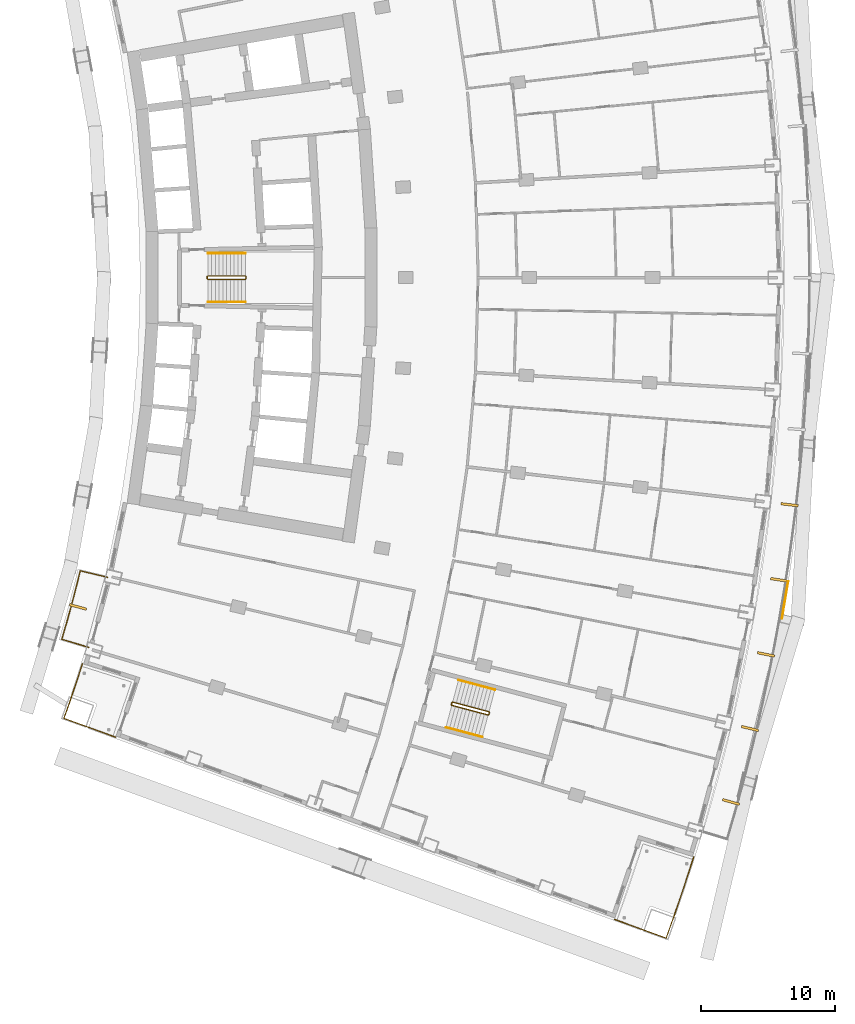
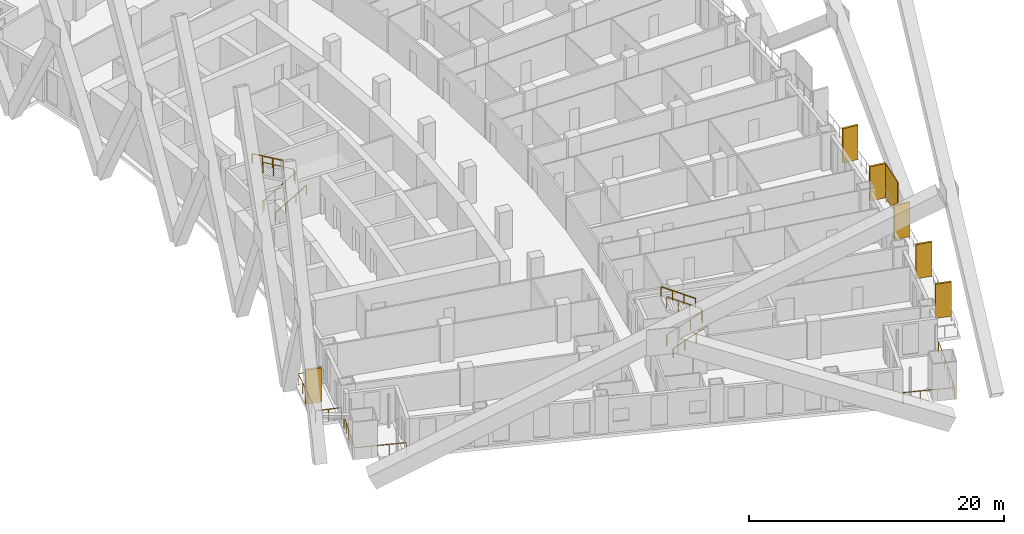
# One storey, part 23 of 25: 9 railings, 7 shading devices.
"""IFC4 building model written with IfcOpenShell, lengths in metres."""

import ifcopenshell
import ifcopenshell.guid

model = None  # the IFC model being written
_history = None  # IfcOwnerHistory: only IFC2X3 demands one
_inside = {}  # id of a spatial element -> (the spatial element, [elements in it])
_under = {}  # id of a project, library or spatial element -> (it, [spatial elements below it])
_declared = {}  # id of a project -> (the project, [libraries it declares])
_typed = {}  # id of a type object -> (the type object, [elements of that type])
_made_of = {}  # id of a material, layer set ... -> (it, [elements and type objects made of it])


def new_model(schema):
    """Start an empty IFC model of exactly this schema.

    Asked for "IFC4X3", IfcOpenShell would pick the latest addendum, in which some entities
    have other attributes; the version numbers below select the first issue.
    IFC2X3 requires an IfcOwnerHistory on every rooted entity: one is made here for all.
    """
    global model, _history
    if schema == "IFC4X3":
        model = ifcopenshell.file(schema_version=(4, 3, 0, 0))
    else:
        model = ifcopenshell.file(schema=schema)
    _inside.clear()
    _under.clear()
    _declared.clear()
    _typed.clear()
    _made_of.clear()
    _history = None
    if model.schema == "IFC2X3":
        org = make("IfcOrganization", Name="unknown")
        user = make(
            "IfcPersonAndOrganization",
            ThePerson=make("IfcPerson", FamilyName="unknown"),
            TheOrganization=org,
        )
        app = make(
            "IfcApplication",
            ApplicationDeveloper=org,
            Version="unknown",
            ApplicationFullName="unknown",
            ApplicationIdentifier="unknown",
        )
        _history = make(
            "IfcOwnerHistory",
            OwningUser=user,
            OwningApplication=app,
            ChangeAction="ADDED",
            CreationDate=0,
        )
    return model


def make(cls, **values):
    """One entity of the class cls with the attributes given. An attribute that is None is left unset."""
    return model.create_entity(
        cls, **{name: value for name, value in values.items() if value is not None}
    )


def rooted(cls, **values):
    """An entity with a GlobalId (a new one), such as an element, a storey or a relation."""
    return make(cls, GlobalId=ifcopenshell.guid.new(), OwnerHistory=_history, **values)


def si_unit(unit_type, name, prefix=None):
    """IfcSIUnit, for example si_unit("LENGTHUNIT", "METRE", prefix="MILLI")."""
    return make("IfcSIUnit", UnitType=unit_type, Prefix=prefix, Name=name)


def assignment(units):
    """IfcUnitAssignment: the units of a project."""
    return None if units is None else make("IfcUnitAssignment", Units=units)


def point(xyz):
    """IfcCartesianPoint."""
    return None if xyz is None else make("IfcCartesianPoint", Coordinates=xyz)


def direction(xyz):
    """IfcDirection."""
    return None if xyz is None else make("IfcDirection", DirectionRatios=xyz)


def frame(location, z_axis=None, x_axis=None):
    """IfcAxis2Placement3D, a coordinate frame: its origin and axes. An axis left out is left unset."""
    return make(
        "IfcAxis2Placement3D",
        Location=point(location),
        Axis=direction(z_axis),
        RefDirection=direction(x_axis),
    )


def frame_2d(location, x_axis=None):
    """IfcAxis2Placement2D, a coordinate frame in the plane: its origin and x axis."""
    return make(
        "IfcAxis2Placement2D", Location=point(location), RefDirection=direction(x_axis)
    )


def origin():
    """The frame at (0, 0, 0) with its axes left unset."""
    return frame((0.0, 0.0, 0.0))


def origin_with_axes():
    """The frame at (0, 0, 0) with the z axis (0, 0, 1) and the x axis (1, 0, 0) written out."""
    return frame((0.0, 0.0, 0.0), z_axis=(0.0, 0.0, 1.0), x_axis=(1.0, 0.0, 0.0))


def origin_2d():
    """The frame at (0, 0) in the plane with its x axis left unset."""
    return frame_2d((0.0, 0.0))


def place(relative_to, where):
    """IfcLocalPlacement: puts the frame where relative to a parent placement (None: the world)."""
    return make(
        "IfcLocalPlacement", PlacementRelTo=relative_to, RelativePlacement=where
    )


def context(
    kind, dimensions, precision=None, world=None, true_north=None, identifier=None
):
    """IfcGeometricRepresentationContext, for example the 3D "Model" context."""
    return make(
        "IfcGeometricRepresentationContext",
        ContextIdentifier=identifier,
        ContextType=kind,
        CoordinateSpaceDimension=dimensions,
        Precision=precision,
        WorldCoordinateSystem=world,
        TrueNorth=true_north,
    )


def subcontext(parent, identifier, kind, view, scale=None):
    """IfcGeometricRepresentationSubContext, for example "Body" below "Model"."""
    return make(
        "IfcGeometricRepresentationSubContext",
        ContextIdentifier=identifier,
        ContextType=kind,
        ParentContext=parent,
        TargetScale=scale,
        TargetView=view,
    )


def project(units=None, contexts=None):
    """IfcProject with its units and contexts."""
    return rooted(
        "IfcProject",
        Name="project",
        RepresentationContexts=contexts,
        UnitsInContext=assignment(units),
    )


def spatial(cls, under=None, at=None, **own):
    """A site, building, storey or space (cls), placed at a placement, below another one or the project."""
    s = rooted(cls, ObjectPlacement=at, **own)
    if under is not None:
        _under.setdefault(under.id(), (under, []))[1].append(s)
    return s


def profile(cls, at=None, kind="AREA", **sizes):
    """A parametric profile (cls). Its sizes go by their IFC names, for example OverallWidth=200.0."""
    return make(cls, ProfileType=kind, Position=at, **sizes)


def rectangle(**sizes):
    """IfcRectangleProfileDef."""
    return profile("IfcRectangleProfileDef", **sizes)


def extrude(swept, where, along, depth):
    """IfcExtrudedAreaSolid: the profile swept, set in the frame where, extruded along a direction by depth."""
    return make(
        "IfcExtrudedAreaSolid",
        SweptArea=swept,
        Position=where,
        ExtrudedDirection=direction(along),
        Depth=depth,
    )


def shape(context_of_items, identifier, shape_type, items):
    """IfcShapeRepresentation: the items that make up one representation, for example the "Body"."""
    return make(
        "IfcShapeRepresentation",
        ContextOfItems=context_of_items,
        RepresentationIdentifier=identifier,
        RepresentationType=shape_type,
        Items=items,
    )


def material(Name=None, Category=None):
    """IfcMaterial."""
    return make("IfcMaterial", Name=Name, Category=Category)


def layer(
    of_material, thickness, ventilated=None, Name=None, Category=None, Priority=None
):
    """IfcMaterialLayer: one layer of a wall or slab, of a material (None: an air gap)."""
    return make(
        "IfcMaterialLayer",
        Material=of_material,
        LayerThickness=thickness,
        IsVentilated=ventilated,
        Name=Name,
        Category=Category,
        Priority=Priority,
    )


def layer_set(layers, Name=None):
    """IfcMaterialLayerSet."""
    return make("IfcMaterialLayerSet", MaterialLayers=layers, LayerSetName=Name)


def made_of(thing, what):
    """Note that an element or type object is made of a material, layer set ...; save() writes the relation."""
    if what is not None:
        _made_of.setdefault(what.id(), (what, []))[1].append(thing)
    return thing


def type_object(cls, material=None, **own):
    """A type object (cls), such as IfcWallType, which elements share."""
    return made_of(rooted(cls, **own), material)


def element(
    cls,
    number,
    at=None,
    inside=None,
    cuts=None,
    type_object=None,
    material=None,
    context=None,
    identifier="Body",
    shape_type=None,
    held_by="IfcProductDefinitionShape",
    body=None,
    shapes=None,
    **own,
):
    """One element of the class cls, such as IfcWall. Its Tag is "e" and its number.

    at: its placement. inside: the storey or other place that contains it. cuts: it is an
    opening in that element (IfcRelVoidsElement). A single representation is given by context,
    identifier, shape_type and body (its items); several are given by shapes. held_by: the class
    of the entity that holds the representations. save() writes the other relations.
    """
    e = rooted(cls, Tag="e%d" % number, ObjectPlacement=at, **own)
    if body is not None:
        shapes = [shape(context, identifier, shape_type, body)]
    if shapes is not None:
        e.Representation = make(held_by, Representations=shapes)
    if inside is not None:
        _inside.setdefault(inside.id(), (inside, []))[1].append(e)
    if cuts is not None:
        rooted(
            "IfcRelVoidsElement", RelatingBuildingElement=cuts, RelatedOpeningElement=e
        )
    if type_object is not None:
        _typed.setdefault(type_object.id(), (type_object, []))[1].append(e)
    return made_of(e, material)


def aggregate(whole, parts):
    """IfcRelAggregates: a whole, such as a stair, and the parts it consists of."""
    return rooted("IfcRelAggregates", RelatingObject=whole, RelatedObjects=parts)


def save(model, path):
    """Write the relations noted so far, then the file.

    IfcRelAggregates (storeys below a building ...), IfcRelContainedInSpatialStructure (elements
    in a storey), IfcRelDefinesByType, IfcRelAssociatesMaterial and IfcRelDeclares: one each for
    every whole, place, type object, material and project.
    """
    for whole, parts in _under.values():
        aggregate(whole, parts)
    for where, things in _inside.values():
        rooted(
            "IfcRelContainedInSpatialStructure",
            RelatedElements=things,
            RelatingStructure=where,
        )
    for kind, things in _typed.values():
        rooted("IfcRelDefinesByType", RelatedObjects=things, RelatingType=kind)
    for what, things in _made_of.values():
        rooted("IfcRelAssociatesMaterial", RelatedObjects=things, RelatingMaterial=what)
    for by, libraries in _declared.values():
        rooted("IfcRelDeclares", RelatingContext=by, RelatedDefinitions=libraries)
    model.write(path)


model = new_model("IFC4")

# Units and contexts
model_context = context("Model", 3, precision=1e-05, world=origin(), true_north=direction((0.0, 1.0)))
body_context = subcontext(model_context, "Body", "Model", "MODEL_VIEW")
ifc_project = project(units=[si_unit("LENGTHUNIT", "METRE"), si_unit("AREAUNIT", "SQUARE_METRE"), si_unit("VOLUMEUNIT", "CUBIC_METRE"), si_unit("PLANEANGLEUNIT", "RADIAN"), si_unit("MASSUNIT", "GRAM", prefix="KILO")], contexts=[model_context])

# Site, building, storey
site_placement = place(None, origin())
site = spatial("IfcSite", under=ifc_project, at=site_placement, CompositionType="ELEMENT")
building_placement = place(site_placement, origin())
building = spatial("IfcBuilding", under=site, at=building_placement, Name="Alderwake Tower", CompositionType="ELEMENT")
storey_placement = place(building_placement, frame((0.0, 0.0, 32.0)))
storey = spatial("IfcBuildingStorey", under=building, at=storey_placement, Name="L06", CompositionType="ELEMENT", Elevation=32.0)

# Railings
ifc_material_1 = material(Name="Stainless steel 316 rail and posts", Category="steel")
railing_type_1 = type_object("IfcRailingType", Name="Balcony guard 1100", PredefinedType="GUARDRAIL", material=ifc_material_1)
railing_1_placement = place(storey_placement, frame((12.16650390625, 33.435791015625, 0.0)))
element("IfcRailing", 1, at=railing_1_placement, inside=storey, type_object=railing_type_1, Name="Guard BR02", PredefinedType="GUARDRAIL", context=body_context, shape_type="SweptSolid", body=[
    extrude(rectangle(XDim=0.048095703125, YDim=0.048095703125, at=origin_2d()), frame((0.0, 0.0, 1.076171875), z_axis=(-0.958091458885, 0.286462486918, 0.0), x_axis=(-0.286462486918, -0.958091458885, 0.0)), (0.0, 0.0, 1.0), 2.099853515625),
    extrude(rectangle(XDim=0.048095703125, YDim=0.048095703125, at=origin_2d()), frame((-2.011962890625, 0.6015625, 1.076171875), z_axis=(0.279963157487, 0.960010744966, 0.0), x_axis=(-0.960010744966, 0.279963157487, 0.0)), (0.0, 0.0, 1.0), 1.272216796875),
    extrude(rectangle(XDim=0.048095703125, YDim=0.048095703125, at=origin_2d()), frame((-1.65576171875, 1.822998046875, 1.076171875), z_axis=(0.266487604617, 0.963838345671, 0.0), x_axis=(-0.963838345671, 0.266487604617, 0.0)), (0.0, 0.0, 1.0), 1.372314453125),
    extrude(rectangle(XDim=0.048095703125, YDim=0.048095703125, at=origin_2d()), frame((-1.2900390625, 3.145751953125, 1.076171875), z_axis=(0.252487086228, 0.967600264204, 0.0), x_axis=(-0.967600264204, 0.252487086228, 0.0)), (0.0, 0.0, 1.0), 1.3720703125),
    extrude(rectangle(XDim=0.048095703125, YDim=0.048095703125, at=origin_2d()), frame((-0.943603515625, 4.473388671875, 1.076171875), z_axis=(0.238877101641, 0.971049808358, 0.0), x_axis=(-0.971049808358, 0.238877101641, 0.0)), (0.0, 0.0, 1.0), 1.2724609375),
    extrude(rectangle(XDim=0.048095703125, YDim=0.048095703125, at=origin_2d()), frame((-0.6396484375, 5.708984375, 1.076171875), z_axis=(0.972646310656, -0.232291098337, 0.0), x_axis=(0.232291098337, 0.972646310656, 0.0)), (0.0, 0.0, 1.0), 2.099853515625),
    extrude(rectangle(XDim=0.0419921875, YDim=0.0419921875, at=origin_2d()), frame((0.0, 0.0, 0.0), z_axis=(0.0, 0.0, 1.0), x_axis=(-0.958091458885, 0.286462486918, 0.0)), (0.0, 0.0, 1.0), 1.052001953125),
    extrude(rectangle(XDim=0.0419921875, YDim=0.0419921875, at=origin_2d()), frame((-1.005859375, 0.30078125, 0.0), z_axis=(0.0, 0.0, 1.0), x_axis=(-0.958091458885, 0.286462486918, 0.0)), (0.0, 0.0, 1.0), 1.052001953125),
    extrude(rectangle(XDim=0.0419921875, YDim=0.0419921875, at=origin_2d()), frame((-2.011962890625, 0.6015625, 0.0), z_axis=(0.0, 0.0, 1.0), x_axis=(0.279963157487, 0.960010744966, 0.0)), (0.0, 0.0, 1.0), 1.052001953125),
    extrude(rectangle(XDim=0.0419921875, YDim=0.0419921875, at=origin_2d()), frame((-1.65576171875, 1.822998046875, 0.0), z_axis=(0.0, 0.0, 1.0), x_axis=(0.266487604617, 0.963838345671, 0.0)), (0.0, 0.0, 1.0), 1.052001953125),
    extrude(rectangle(XDim=0.0419921875, YDim=0.0419921875, at=origin_2d()), frame((-1.2900390625, 3.145751953125, 0.0), z_axis=(0.0, 0.0, 1.0), x_axis=(0.252487086228, 0.967600264204, 0.0)), (0.0, 0.0, 1.0), 1.052001953125),
    extrude(rectangle(XDim=0.0419921875, YDim=0.0419921875, at=origin_2d()), frame((-0.943603515625, 4.473388671875, 0.0), z_axis=(0.0, 0.0, 1.0), x_axis=(0.238877101641, 0.971049808358, 0.0)), (0.0, 0.0, 1.0), 1.052001953125),
    extrude(rectangle(XDim=0.0419921875, YDim=0.0419921875, at=origin_2d()), frame((-0.6396484375, 5.708984375, 0.0), z_axis=(0.0, 0.0, 1.0), x_axis=(0.972646310656, -0.232291098337, 0.0)), (0.0, 0.0, 1.0), 1.052001953125),
    extrude(rectangle(XDim=0.0419921875, YDim=0.0419921875, at=origin_2d()), frame((0.381591796875, 5.465087890625, 0.0), z_axis=(0.0, 0.0, 1.0), x_axis=(0.972646310656, -0.232291098337, 0.0)), (0.0, 0.0, 1.0), 1.052001953125),
    extrude(rectangle(XDim=0.0419921875, YDim=0.0419921875, at=origin_2d()), frame((1.40283203125, 5.22119140625, 0.0), z_axis=(0.0, 0.0, 1.0), x_axis=(0.972646310656, -0.232291098337, 0.0)), (0.0, 0.0, 1.0), 1.052001953125),
])
railing_2_placement = place(storey_placement, frame((57.2646484375, 17.806884765625, 0.0)))
element("IfcRailing", 2, at=railing_2_placement, inside=storey, type_object=railing_type_1, Name="Guard terrace FS", PredefinedType="GUARDRAIL", context=body_context, shape_type="SweptSolid", body=[
    extrude(rectangle(XDim=0.048095703125, YDim=0.048095703125, at=origin_2d()), frame((0.0, 0.0, 1.076171875), z_axis=(-0.307834426273, -0.951439943455, 0.0), x_axis=(0.951439943455, -0.307834426273, 0.0)), (0.0, 0.0, 1.0), 2.29833984375),
    extrude(rectangle(XDim=0.048095703125, YDim=0.048095703125, at=origin_2d()), frame((-0.70751953125, -2.186767578125, 1.076171875), z_axis=(-0.322259361339, -0.946651416324, 0.0), x_axis=(0.946651416324, -0.322259361339, 0.0)), (0.0, 0.0, 1.0), 2.0986328125),
    extrude(rectangle(XDim=0.048095703125, YDim=0.048095703125, at=origin_2d()), frame((-1.3837890625, -4.17333984375, 1.076171875), z_axis=(-0.335694014626, -0.941971086894, 0.0), x_axis=(0.941971086894, -0.335694014626, 0.0)), (0.0, 0.0, 1.0), 1.99853515625),
    extrude(rectangle(XDim=0.048095703125, YDim=0.048095703125, at=origin_2d()), frame((-2.0546875, -6.055908203125, 1.076171875), z_axis=(-0.939598546558, 0.342278499627, 0.0), x_axis=(-0.342278499627, -0.939598546558, 0.0)), (0.0, 0.0, 1.0), 4.099853515625),
    extrude(rectangle(XDim=0.0419921875, YDim=0.0419921875, at=origin_2d()), frame((0.0, 0.0, 0.0), z_axis=(0.0, 0.0, 1.0), x_axis=(-0.307834426273, -0.951439943455, 0.0)), (0.0, 0.0, 1.0), 1.052001953125),
    extrude(rectangle(XDim=0.0419921875, YDim=0.0419921875, at=origin_2d()), frame((-0.353759765625, -1.09326171875, 0.0), z_axis=(0.0, 0.0, 1.0), x_axis=(-0.307834426273, -0.951439943455, 0.0)), (0.0, 0.0, 1.0), 1.052001953125),
    extrude(rectangle(XDim=0.0419921875, YDim=0.0419921875, at=origin_2d()), frame((-0.70751953125, -2.186767578125, 0.0), z_axis=(0.0, 0.0, 1.0), x_axis=(-0.322259361339, -0.946651416324, 0.0)), (0.0, 0.0, 1.0), 1.052001953125),
    extrude(rectangle(XDim=0.0419921875, YDim=0.0419921875, at=origin_2d()), frame((-1.045654296875, -3.18017578125, 0.0), z_axis=(0.0, 0.0, 1.0), x_axis=(-0.322259361339, -0.946651416324, 0.0)), (0.0, 0.0, 1.0), 1.052001953125),
    extrude(rectangle(XDim=0.0419921875, YDim=0.0419921875, at=origin_2d()), frame((-1.3837890625, -4.17333984375, 0.0), z_axis=(0.0, 0.0, 1.0), x_axis=(-0.335694014626, -0.941971086894, 0.0)), (0.0, 0.0, 1.0), 1.052001953125),
    extrude(rectangle(XDim=0.0419921875, YDim=0.0419921875, at=origin_2d()), frame((-1.71923828125, -5.11474609375, 0.0), z_axis=(0.0, 0.0, 1.0), x_axis=(-0.335694014626, -0.941971086894, 0.0)), (0.0, 0.0, 1.0), 1.052001953125),
    extrude(rectangle(XDim=0.0419921875, YDim=0.0419921875, at=origin_2d()), frame((-2.0546875, -6.055908203125, 0.0), z_axis=(0.0, 0.0, 1.0), x_axis=(-0.939598546558, 0.342278499627, 0.0)), (0.0, 0.0, 1.0), 1.052001953125),
    extrude(rectangle(XDim=0.0419921875, YDim=0.0419921875, at=origin_2d()), frame((-3.3388671875, -5.588134765625, 0.0), z_axis=(0.0, 0.0, 1.0), x_axis=(-0.939598546558, 0.342278499627, 0.0)), (0.0, 0.0, 1.0), 1.052001953125),
    extrude(rectangle(XDim=0.0419921875, YDim=0.0419921875, at=origin_2d()), frame((-4.622802734375, -5.120361328125, 0.0), z_axis=(0.0, 0.0, 1.0), x_axis=(-0.939598546558, 0.342278499627, 0.0)), (0.0, 0.0, 1.0), 1.052001953125),
    extrude(rectangle(XDim=0.0419921875, YDim=0.0419921875, at=origin_2d()), frame((-5.906982421875, -4.652587890625, 0.0), z_axis=(0.0, 0.0, 1.0), x_axis=(-0.939598546558, 0.342278499627, 0.0)), (0.0, 0.0, 1.0), 1.052001953125),
])
railing_3_placement = place(storey_placement, frame((11.688720703125, 32.218017578125, 0.0)))
element("IfcRailing", 3, at=railing_3_placement, inside=storey, type_object=railing_type_1, Name="Guard terrace RS", PredefinedType="GUARDRAIL", context=body_context, shape_type="SweptSolid", body=[
    extrude(rectangle(XDim=0.048095703125, YDim=0.048095703125, at=origin_2d()), frame((0.0, 0.0, 1.076171875), z_axis=(-0.307479326145, -0.951554761426, 0.0), x_axis=(0.951554761426, -0.307479326145, 0.0)), (0.0, 0.0, 1.0), 1.6015625),
    extrude(rectangle(XDim=0.048095703125, YDim=0.048095703125, at=origin_2d()), frame((-0.492431640625, -1.52392578125, 1.076171875), z_axis=(-0.322283727344, -0.946643121292, 0.0), x_axis=(0.946643121292, -0.322283727344, 0.0)), (0.0, 0.0, 1.0), 1.4013671875),
    extrude(rectangle(XDim=0.048095703125, YDim=0.048095703125, at=origin_2d()), frame((-0.944091796875, -2.8505859375, 1.076171875), z_axis=(-0.335468607403, -0.942051385778, 0.0), x_axis=(0.942051385778, -0.335468607403, 0.0)), (0.0, 0.0, 1.0), 1.30126953125),
    extrude(rectangle(XDim=0.048095703125, YDim=0.048095703125, at=origin_2d()), frame((-1.380615234375, -4.076416015625, 1.076171875), z_axis=(0.939708203232, -0.341977327873, 0.0), x_axis=(0.341977327873, 0.939708203232, 0.0)), (0.0, 0.0, 1.0), 4.10009765625),
    extrude(rectangle(XDim=0.0419921875, YDim=0.0419921875, at=origin_2d()), frame((0.0, 0.0, 0.0), z_axis=(0.0, 0.0, 1.0), x_axis=(-0.307479326145, -0.951554761426, 0.0)), (0.0, 0.0, 1.0), 1.052001953125),
    extrude(rectangle(XDim=0.0419921875, YDim=0.0419921875, at=origin_2d()), frame((-0.24609375, -0.761962890625, 0.0), z_axis=(0.0, 0.0, 1.0), x_axis=(-0.307479326145, -0.951554761426, 0.0)), (0.0, 0.0, 1.0), 1.052001953125),
    extrude(rectangle(XDim=0.0419921875, YDim=0.0419921875, at=origin_2d()), frame((-0.492431640625, -1.52392578125, 0.0), z_axis=(0.0, 0.0, 1.0), x_axis=(-0.322283727344, -0.946643121292, 0.0)), (0.0, 0.0, 1.0), 1.052001953125),
    extrude(rectangle(XDim=0.0419921875, YDim=0.0419921875, at=origin_2d()), frame((-0.71826171875, -2.187255859375, 0.0), z_axis=(0.0, 0.0, 1.0), x_axis=(-0.322283727344, -0.946643121292, 0.0)), (0.0, 0.0, 1.0), 1.052001953125),
    extrude(rectangle(XDim=0.0419921875, YDim=0.0419921875, at=origin_2d()), frame((-0.944091796875, -2.8505859375, 0.0), z_axis=(0.0, 0.0, 1.0), x_axis=(-0.335468607403, -0.942051385778, 0.0)), (0.0, 0.0, 1.0), 1.052001953125),
    extrude(rectangle(XDim=0.0419921875, YDim=0.0419921875, at=origin_2d()), frame((-1.380615234375, -4.076416015625, 0.0), z_axis=(0.0, 0.0, 1.0), x_axis=(0.939708203232, -0.341977327873, 0.0)), (0.0, 0.0, 1.0), 1.052001953125),
    extrude(rectangle(XDim=0.0419921875, YDim=0.0419921875, at=origin_2d()), frame((-0.096435546875, -4.543701171875, 0.0), z_axis=(0.0, 0.0, 1.0), x_axis=(0.939708203232, -0.341977327873, 0.0)), (0.0, 0.0, 1.0), 1.052001953125),
    extrude(rectangle(XDim=0.0419921875, YDim=0.0419921875, at=origin_2d()), frame((1.18798828125, -5.01123046875, 0.0), z_axis=(0.0, 0.0, 1.0), x_axis=(0.939708203232, -0.341977327873, 0.0)), (0.0, 0.0, 1.0), 1.052001953125),
    extrude(rectangle(XDim=0.0419921875, YDim=0.0419921875, at=origin_2d()), frame((2.47216796875, -5.478515625, 0.0), z_axis=(0.0, 0.0, 1.0), x_axis=(0.939708203232, -0.341977327873, 0.0)), (0.0, 0.0, 1.0), 1.052001953125),
])

# Shading devices
ifc_material_2 = material(Name="Bronze anodised aluminium", Category="aluminium")
ifc_layer_1 = layer(ifc_material_2, 0.179931640625)
ifc_layer_set_1 = layer_set([ifc_layer_1], Name="Facade fin 1300")
shading_device_type_1 = type_object("IfcShadingDeviceType", Name="Facade fin 1300", PredefinedType="USERDEFINED", material=ifc_layer_set_1)
for number, where, z_axis, x_axis, name in (
    (4, (60.046630859375, 21.9091796875, 0.0), (0.0, 0.0, 1.0), (0.96318180783, -0.268850897459, 0.0), "Fin"),
    (5, (61.4609375, 27.385009765625, 0.0), (0.0, 0.0, 1.0), (0.972908790564, -0.231189284448, 0.0), "Fin"),
    (6, (62.6611328125, 32.911865234375, 0.0), (0.0, 0.0, 1.0), (0.981163751315, -0.193177879441, 0.0), "Fin"),
    (7, (63.643310546875, 38.466796875, 0.0), (0.0, 0.0, 1.0), (0.987918787879, -0.154972476771, 0.0), "Fin"),
    (8, (64.410888671875, 44.0703125, 0.0), (0.0, 0.0, 1.0), (0.993198315083, -0.116434990084, 0.0), "Fin"),
    (9, (11.359375, 36.45166015625, 0.0), (0.0, 0.0, 1.0), (0.965744448231, -0.259495010957, 0.0), "Fin"),
):
    element("IfcShadingDevice", number, at=place(storey_placement, frame(where, z_axis=z_axis, x_axis=x_axis)), inside=storey, type_object=shading_device_type_1, Name=name, ObjectType="FIN", PredefinedType="USERDEFINED", context=body_context, shape_type="SweptSolid", body=[
        extrude(rectangle(XDim=1.300048828125, YDim=0.179931640625, at=origin_2d()), origin(), (0.0, 0.0, 1.0), 3.280029296875),
    ])
ifc_material_3 = material(Name="Perforated bronze anodised aluminium", Category="aluminium")
ifc_layer_2 = layer(ifc_material_3, 0.050048828125)
ifc_layer_set_2 = layer_set([ifc_layer_2], Name="Perforated screen panel")
shading_device_type_2 = type_object("IfcShadingDeviceType", Name="Perforated screen panel", PredefinedType="USERDEFINED", material=ifc_layer_set_2)
shading_device_placement = place(storey_placement, frame((64.0771484375, 36.964599609375, 0.0), z_axis=(0.0, 0.0, 1.0), x_axis=(0.986369013299, -0.164548380739, 0.0)))
element("IfcShadingDevice", 10, at=shading_device_placement, inside=storey, type_object=shading_device_type_2, Name="Screen panel", ObjectType="SCREEN", PredefinedType="USERDEFINED", context=body_context, shape_type="SweptSolid", body=[
    extrude(rectangle(XDim=0.050048828125, YDim=2.833740234375, at=origin_2d()), origin(), (0.0, 0.0, 1.0), 3.280029296875),
])

# Railings
ifc_material_4 = material(Name="Stainless steel guard", Category="steel")
railing_type_2 = type_object("IfcRailingType", Name="Stair guard 1100", PredefinedType="GUARDRAIL", material=ifc_material_4)
railing_4_placement = place(storey_placement, frame((20.989990234375, 60.925048828125, 0.0)))
element("IfcRailing", 11, at=railing_4_placement, inside=storey, type_object=railing_type_2, Name="L06 ST-B stair guard 1", PredefinedType="GUARDRAIL", context=body_context, shape_type="SweptSolid", body=[
    extrude(rectangle(XDim=0.048095703125, YDim=0.048095703125, at=origin_2d()), frame((0.0, 0.0, 1.076171875), z_axis=(0.0, 1.0, 0.0), x_axis=(-1.0, 0.0, 0.0)), (0.0, 0.0, 1.0), 0.14990234375),
    extrude(rectangle(XDim=0.048095703125, YDim=0.048095703125, at=origin_2d()), frame((0.0, 0.14990234375, 1.076171875), z_axis=(0.190199549216, -0.759870394187, 0.621627795), x_axis=(0.970072785993, 0.242814311512, 0.0)), (0.0, 0.0, 1.0), 0.26318359375),
    extrude(rectangle(XDim=0.048095703125, YDim=0.048095703125, at=origin_2d()), frame((0.050048828125, -0.050048828125, 1.23974609375), z_axis=(0.863360870873, 0.0, 0.504586966384), x_axis=(0.0, 1.0, 0.0)), (0.0, 0.0, 1.0), 3.2431640625),
    extrude(rectangle(XDim=0.048095703125, YDim=0.048095703125, at=origin_2d()), frame((2.85009765625, -0.050048828125, 2.8759765625), z_axis=(0.705375805398, 0.708833529934, 0.0), x_axis=(-0.708833529934, 0.705375805398, 0.0)), (0.0, 0.0, 1.0), 0.070556640625),
    extrude(rectangle(XDim=0.048095703125, YDim=0.048095703125, at=origin_2d()), frame((2.89990234375, 0.0, 2.8759765625), z_axis=(0.0, 1.0, 0.0), x_axis=(-1.0, 0.0, 0.0)), (0.0, 0.0, 1.0), 0.14990234375),
    extrude(rectangle(XDim=0.048095703125, YDim=0.048095703125, at=origin_2d()), frame((2.89990234375, 0.14990234375, 2.8759765625), z_axis=(-0.279546231943, 0.280916556609, 0.91811752648), x_axis=(-0.708833529934, -0.705375805398, 0.0)), (0.0, 0.0, 1.0), 0.17822265625),
    extrude(rectangle(XDim=0.048095703125, YDim=0.048095703125, at=origin_2d()), frame((2.85009765625, 0.199951171875, 3.03955078125), z_axis=(-0.863360870873, 0.0, 0.504586966384), x_axis=(0.0, -1.0, 0.0)), (0.0, 0.0, 1.0), 3.2431640625),
    extrude(rectangle(XDim=0.0419921875, YDim=0.0419921875, at=origin_2d()), frame((0.0, 0.0, 0.0), z_axis=(0.0, 0.0, 1.0), x_axis=(0.0, 1.0, 0.0)), (0.0, 0.0, 1.0), 1.052001953125),
    extrude(rectangle(XDim=0.0419921875, YDim=0.0419921875, at=origin_2d()), frame((0.0, 0.14990234375, 0.0), z_axis=(0.0, 0.0, 1.0), x_axis=(0.242814311512, -0.970072785993, 0.0)), (0.0, 0.0, 1.0), 1.052001953125),
    extrude(rectangle(XDim=0.0419921875, YDim=0.0419921875, at=origin_2d()), frame((0.050048828125, -0.050048828125, 0.16357421875), z_axis=(0.0, 0.0, 1.0), x_axis=(1.0, 0.0, 0.0)), (0.0, 0.0, 1.0), 1.052001953125),
    extrude(rectangle(XDim=0.0419921875, YDim=0.0419921875, at=origin_2d()), frame((0.9833984375, -0.050048828125, 0.708984375), z_axis=(0.0, 0.0, 1.0), x_axis=(1.0, 0.0, 0.0)), (0.0, 0.0, 1.0), 1.052001953125),
    extrude(rectangle(XDim=0.0419921875, YDim=0.0419921875, at=origin_2d()), frame((1.916748046875, -0.050048828125, 1.254638671875), z_axis=(0.0, 0.0, 1.0), x_axis=(1.0, 0.0, 0.0)), (0.0, 0.0, 1.0), 1.052001953125),
    extrude(rectangle(XDim=0.0419921875, YDim=0.0419921875, at=origin_2d()), frame((2.85009765625, -0.050048828125, 1.800048828125), z_axis=(0.0, 0.0, 1.0), x_axis=(0.705375805398, 0.708833529934, 0.0)), (0.0, 0.0, 1.0), 1.052001953125),
    extrude(rectangle(XDim=0.0419921875, YDim=0.0419921875, at=origin_2d()), frame((2.89990234375, 0.0, 1.800048828125), z_axis=(0.0, 0.0, 1.0), x_axis=(0.0, 1.0, 0.0)), (0.0, 0.0, 1.0), 1.052001953125),
    extrude(rectangle(XDim=0.0419921875, YDim=0.0419921875, at=origin_2d()), frame((2.89990234375, 0.14990234375, 1.800048828125), z_axis=(0.0, 0.0, 1.0), x_axis=(-0.705375805398, 0.708833529934, 0.0)), (0.0, 0.0, 1.0), 1.052001953125),
    extrude(rectangle(XDim=0.0419921875, YDim=0.0419921875, at=origin_2d()), frame((2.85009765625, 0.199951171875, 1.963623046875), z_axis=(0.0, 0.0, 1.0), x_axis=(-1.0, 0.0, 0.0)), (0.0, 0.0, 1.0), 1.052001953125),
    extrude(rectangle(XDim=0.0419921875, YDim=0.0419921875, at=origin_2d()), frame((1.916748046875, 0.199951171875, 2.509033203125), z_axis=(0.0, 0.0, 1.0), x_axis=(-1.0, 0.0, 0.0)), (0.0, 0.0, 1.0), 1.052001953125),
    extrude(rectangle(XDim=0.0419921875, YDim=0.0419921875, at=origin_2d()), frame((0.9833984375, 0.199951171875, 3.0546875), z_axis=(0.0, 0.0, 1.0), x_axis=(-1.0, 0.0, 0.0)), (0.0, 0.0, 1.0), 1.052001953125),
    extrude(rectangle(XDim=0.0419921875, YDim=0.0419921875, at=origin_2d()), frame((0.050048828125, 0.199951171875, 3.60009765625), z_axis=(0.0, 0.0, 1.0), x_axis=(-1.0, 0.0, 0.0)), (0.0, 0.0, 1.0), 1.052001953125),
])
railing_5_placement = place(storey_placement, frame((39.1943359375, 29.17431640625, 0.0)))
element("IfcRailing", 12, at=railing_5_placement, inside=storey, type_object=railing_type_2, Name="L06 ST-C stair guard 1", PredefinedType="GUARDRAIL", context=body_context, shape_type="SweptSolid", body=[
    extrude(rectangle(XDim=0.048095703125, YDim=0.048095703125, at=origin_2d()), frame((0.0, 0.0, 1.076171875), z_axis=(0.257459803502, 0.966289009345, 0.0), x_axis=(-0.966289009345, 0.257459803502, 0.0)), (0.0, 0.0, 1.0), 0.14990234375),
    extrude(rectangle(XDim=0.048095703125, YDim=0.048095703125, at=origin_2d()), frame((0.03857421875, 0.144775390625, 1.076171875), z_axis=(-0.012062893862, -0.783160186125, 0.621702991355), x_axis=(0.999881397308, -0.015401016783, 0.0)), (0.0, 0.0, 1.0), 0.26318359375),
    extrude(rectangle(XDim=0.048095703125, YDim=0.048095703125, at=origin_2d()), frame((0.035400390625, -0.061279296875, 1.23974609375), z_axis=(0.834281824786, -0.222214197128, 0.504573768072), x_axis=(0.257380452725, 0.966310148221, 0.0)), (0.0, 0.0, 1.0), 3.2431640625),
    extrude(rectangle(XDim=0.048095703125, YDim=0.048095703125, at=origin_2d()), frame((2.7412109375, -0.781982421875, 2.8759765625), z_axis=(0.865031189262, 0.501718089772, 0.0), x_axis=(-0.501718089772, 0.865031189262, 0.0)), (0.0, 0.0, 1.0), 0.070556640625),
    extrude(rectangle(XDim=0.048095703125, YDim=0.048095703125, at=origin_2d()), frame((2.80224609375, -0.74658203125, 2.8759765625), z_axis=(0.257055032184, 0.966396766566, 0.0), x_axis=(-0.966396766566, 0.257055032184, 0.0)), (0.0, 0.0, 1.0), 0.150146484375),
    extrude(rectangle(XDim=0.048095703125, YDim=0.048095703125, at=origin_2d()), frame((2.8408203125, -0.6015625, 2.8759765625), z_axis=(-0.198625291617, 0.343827228937, 0.91778583023), x_axis=(-0.865898279276, -0.500220121494, 0.0)), (0.0, 0.0, 1.0), 0.17822265625),
    extrude(rectangle(XDim=0.048095703125, YDim=0.048095703125, at=origin_2d()), frame((2.805419921875, -0.540283203125, 3.03955078125), z_axis=(-0.834258940753, 0.22222815314, 0.504605457487), x_axis=(-0.257402139082, -0.966304371715, 0.0)), (0.0, 0.0, 1.0), 3.2431640625),
    extrude(rectangle(XDim=0.0419921875, YDim=0.0419921875, at=origin_2d()), frame((0.0, 0.0, 0.0), z_axis=(0.0, 0.0, 1.0), x_axis=(0.257459803502, 0.966289009345, 0.0)), (0.0, 0.0, 1.0), 1.052001953125),
    extrude(rectangle(XDim=0.0419921875, YDim=0.0419921875, at=origin_2d()), frame((0.03857421875, 0.144775390625, 0.0), z_axis=(0.0, 0.0, 1.0), x_axis=(-0.015401016783, -0.999881397308, 0.0)), (0.0, 0.0, 1.0), 1.052001953125),
    extrude(rectangle(XDim=0.0419921875, YDim=0.0419921875, at=origin_2d()), frame((0.035400390625, -0.061279296875, 0.16357421875), z_axis=(0.0, 0.0, 1.0), x_axis=(0.966310148221, -0.257380452725, 0.0)), (0.0, 0.0, 1.0), 1.052001953125),
    extrude(rectangle(XDim=0.0419921875, YDim=0.0419921875, at=origin_2d()), frame((0.937255859375, -0.301513671875, 0.708984375), z_axis=(0.0, 0.0, 1.0), x_axis=(0.966310148221, -0.257380452725, 0.0)), (0.0, 0.0, 1.0), 1.052001953125),
    extrude(rectangle(XDim=0.0419921875, YDim=0.0419921875, at=origin_2d()), frame((1.83935546875, -0.541748046875, 1.254638671875), z_axis=(0.0, 0.0, 1.0), x_axis=(0.966310148221, -0.257380452725, 0.0)), (0.0, 0.0, 1.0), 1.052001953125),
    extrude(rectangle(XDim=0.0419921875, YDim=0.0419921875, at=origin_2d()), frame((2.7412109375, -0.781982421875, 1.800048828125), z_axis=(0.0, 0.0, 1.0), x_axis=(0.865031189262, 0.501718089772, 0.0)), (0.0, 0.0, 1.0), 1.052001953125),
    extrude(rectangle(XDim=0.0419921875, YDim=0.0419921875, at=origin_2d()), frame((2.80224609375, -0.74658203125, 1.800048828125), z_axis=(0.0, 0.0, 1.0), x_axis=(0.257055032184, 0.966396766566, 0.0)), (0.0, 0.0, 1.0), 1.052001953125),
    extrude(rectangle(XDim=0.0419921875, YDim=0.0419921875, at=origin_2d()), frame((2.8408203125, -0.6015625, 1.800048828125), z_axis=(0.0, 0.0, 1.0), x_axis=(-0.500220121494, 0.865898279276, 0.0)), (0.0, 0.0, 1.0), 1.052001953125),
    extrude(rectangle(XDim=0.0419921875, YDim=0.0419921875, at=origin_2d()), frame((2.805419921875, -0.540283203125, 1.963623046875), z_axis=(0.0, 0.0, 1.0), x_axis=(-0.966304371715, 0.257402139082, 0.0)), (0.0, 0.0, 1.0), 1.052001953125),
    extrude(rectangle(XDim=0.0419921875, YDim=0.0419921875, at=origin_2d()), frame((1.903564453125, -0.300048828125, 2.509033203125), z_axis=(0.0, 0.0, 1.0), x_axis=(-0.966304371715, 0.257402139082, 0.0)), (0.0, 0.0, 1.0), 1.052001953125),
    extrude(rectangle(XDim=0.0419921875, YDim=0.0419921875, at=origin_2d()), frame((1.001708984375, -0.059814453125, 3.0546875), z_axis=(0.0, 0.0, 1.0), x_axis=(-0.966304371715, 0.257402139082, 0.0)), (0.0, 0.0, 1.0), 1.052001953125),
    extrude(rectangle(XDim=0.0419921875, YDim=0.0419921875, at=origin_2d()), frame((0.099853515625, 0.180419921875, 3.60009765625), z_axis=(0.0, 0.0, 1.0), x_axis=(-0.966304371715, 0.257402139082, 0.0)), (0.0, 0.0, 1.0), 1.052001953125),
])
ifc_material_5 = material(Name="Stainless steel handrail", Category="steel")
railing_type_3 = type_object("IfcRailingType", Name="Stair handrail 900", PredefinedType="HANDRAIL", material=ifc_material_5)
railing_6_placement = place(storey_placement, frame((21.0400390625, 59.175048828125, 0.16357421875)))
element("IfcRailing", 13, at=railing_6_placement, inside=storey, type_object=railing_type_3, Name="L06 ST-B stair handrail 1", PredefinedType="HANDRAIL", context=body_context, shape_type="SweptSolid", body=[
    extrude(rectangle(XDim=0.048095703125, YDim=0.048095703125, at=origin_2d()), frame((0.0, 0.0, 0.8759765625), z_axis=(0.863360870873, 0.0, 0.504586966384), x_axis=(0.0, 1.0, 0.0)), (0.0, 0.0, 1.0), 3.2431640625),
    extrude(rectangle(XDim=0.0419921875, YDim=0.0419921875, at=origin_2d()), origin_with_axes(), (0.0, 0.0, 1.0), 0.851806640625),
    extrude(rectangle(XDim=0.0419921875, YDim=0.0419921875, at=origin_2d()), frame((0.933349609375, 0.0, 0.54541015625), z_axis=(0.0, 0.0, 1.0), x_axis=(1.0, 0.0, 0.0)), (0.0, 0.0, 1.0), 0.851806640625),
    extrude(rectangle(XDim=0.0419921875, YDim=0.0419921875, at=origin_2d()), frame((1.86669921875, 0.0, 1.091064453125), z_axis=(0.0, 0.0, 1.0), x_axis=(1.0, 0.0, 0.0)), (0.0, 0.0, 1.0), 0.851806640625),
    extrude(rectangle(XDim=0.0419921875, YDim=0.0419921875, at=origin_2d()), frame((2.800048828125, 0.0, 1.636474609375), z_axis=(0.0, 0.0, 1.0), x_axis=(1.0, 0.0, 0.0)), (0.0, 0.0, 1.0), 0.851806640625),
])
railing_7_placement = place(storey_placement, frame((23.840087890625, 62.824951171875, 1.963623046875)))
element("IfcRailing", 14, at=railing_7_placement, inside=storey, type_object=railing_type_3, Name="L06 ST-B stair handrail 2", PredefinedType="HANDRAIL", context=body_context, shape_type="SweptSolid", body=[
    extrude(rectangle(XDim=0.048095703125, YDim=0.048095703125, at=origin_2d()), frame((0.0, 0.0, 0.8759765625), z_axis=(-0.863360870873, 0.0, 0.504586966384), x_axis=(0.0, -1.0, 0.0)), (0.0, 0.0, 1.0), 3.2431640625),
    extrude(rectangle(XDim=0.0419921875, YDim=0.0419921875, at=origin_2d()), frame((0.0, 0.0, 0.0), z_axis=(0.0, 0.0, 1.0), x_axis=(-1.0, 0.0, 0.0)), (0.0, 0.0, 1.0), 0.851806640625),
    extrude(rectangle(XDim=0.0419921875, YDim=0.0419921875, at=origin_2d()), frame((-0.933349609375, 0.0, 0.54541015625), z_axis=(0.0, 0.0, 1.0), x_axis=(-1.0, 0.0, 0.0)), (0.0, 0.0, 1.0), 0.851806640625),
    extrude(rectangle(XDim=0.0419921875, YDim=0.0419921875, at=origin_2d()), frame((-1.86669921875, 0.0, 1.091064453125), z_axis=(0.0, 0.0, 1.0), x_axis=(-1.0, 0.0, 0.0)), (0.0, 0.0, 1.0), 0.851806640625),
    extrude(rectangle(XDim=0.0419921875, YDim=0.0419921875, at=origin_2d()), frame((-2.800048828125, 0.0, 1.636474609375), z_axis=(0.0, 0.0, 1.0), x_axis=(-1.0, 0.0, 0.0)), (0.0, 0.0, 1.0), 0.851806640625),
])
railing_8_placement = place(storey_placement, frame((38.792236328125, 27.47021484375, 0.16357421875)))
element("IfcRailing", 15, at=railing_8_placement, inside=storey, type_object=railing_type_3, Name="L06 ST-C stair handrail 1", PredefinedType="HANDRAIL", context=body_context, shape_type="SweptSolid", body=[
    extrude(rectangle(XDim=0.048095703125, YDim=0.048095703125, at=origin_2d()), frame((0.0, 0.0, 0.8759765625), z_axis=(0.834272895437, -0.222156588561, 0.504613898043), x_axis=(0.25732071773, 0.966326056891, 0.0)), (0.0, 0.0, 1.0), 3.242919921875),
    extrude(rectangle(XDim=0.0419921875, YDim=0.0419921875, at=origin_2d()), frame((0.0, 0.0, 0.0), z_axis=(0.0, 0.0, 1.0), x_axis=(0.966326056891, -0.25732071773, 0.0)), (0.0, 0.0, 1.0), 0.851806640625),
    extrude(rectangle(XDim=0.0419921875, YDim=0.0419921875, at=origin_2d()), frame((0.90185546875, -0.240234375, 0.54541015625), z_axis=(0.0, 0.0, 1.0), x_axis=(0.966326056891, -0.25732071773, 0.0)), (0.0, 0.0, 1.0), 0.851806640625),
    extrude(rectangle(XDim=0.0419921875, YDim=0.0419921875, at=origin_2d()), frame((1.8037109375, -0.480224609375, 1.091064453125), z_axis=(0.0, 0.0, 1.0), x_axis=(0.966326056891, -0.25732071773, 0.0)), (0.0, 0.0, 1.0), 0.851806640625),
    extrude(rectangle(XDim=0.0419921875, YDim=0.0419921875, at=origin_2d()), frame((2.70556640625, -0.720458984375, 1.636474609375), z_axis=(0.0, 0.0, 1.0), x_axis=(0.966326056891, -0.25732071773, 0.0)), (0.0, 0.0, 1.0), 0.851806640625),
])
railing_9_placement = place(storey_placement, frame((42.437255859375, 30.276611328125, 1.963623046875)))
element("IfcRailing", 16, at=railing_9_placement, inside=storey, type_object=railing_type_3, Name="L06 ST-C stair handrail 2", PredefinedType="HANDRAIL", context=body_context, shape_type="SweptSolid", body=[
    extrude(rectangle(XDim=0.048095703125, YDim=0.048095703125, at=origin_2d()), frame((0.0, 0.0, 0.8759765625), z_axis=(-0.834258940753, 0.22222815314, 0.504605457487), x_axis=(-0.257402139082, -0.966304371715, 0.0)), (0.0, 0.0, 1.0), 3.2431640625),
    extrude(rectangle(XDim=0.0419921875, YDim=0.0419921875, at=origin_2d()), frame((0.0, 0.0, 0.0), z_axis=(0.0, 0.0, 1.0), x_axis=(-0.966304371715, 0.257402139082, 0.0)), (0.0, 0.0, 1.0), 0.851806640625),
    extrude(rectangle(XDim=0.0419921875, YDim=0.0419921875, at=origin_2d()), frame((-0.90185546875, 0.240234375, 0.54541015625), z_axis=(0.0, 0.0, 1.0), x_axis=(-0.966304371715, 0.257402139082, 0.0)), (0.0, 0.0, 1.0), 0.851806640625),
    extrude(rectangle(XDim=0.0419921875, YDim=0.0419921875, at=origin_2d()), frame((-1.8037109375, 0.48046875, 1.091064453125), z_axis=(0.0, 0.0, 1.0), x_axis=(-0.966304371715, 0.257402139082, 0.0)), (0.0, 0.0, 1.0), 0.851806640625),
    extrude(rectangle(XDim=0.0419921875, YDim=0.0419921875, at=origin_2d()), frame((-2.70556640625, 0.720703125, 1.636474609375), z_axis=(0.0, 0.0, 1.0), x_axis=(-0.966304371715, 0.257402139082, 0.0)), (0.0, 0.0, 1.0), 0.851806640625),
])

save(model, "model.ifc")
